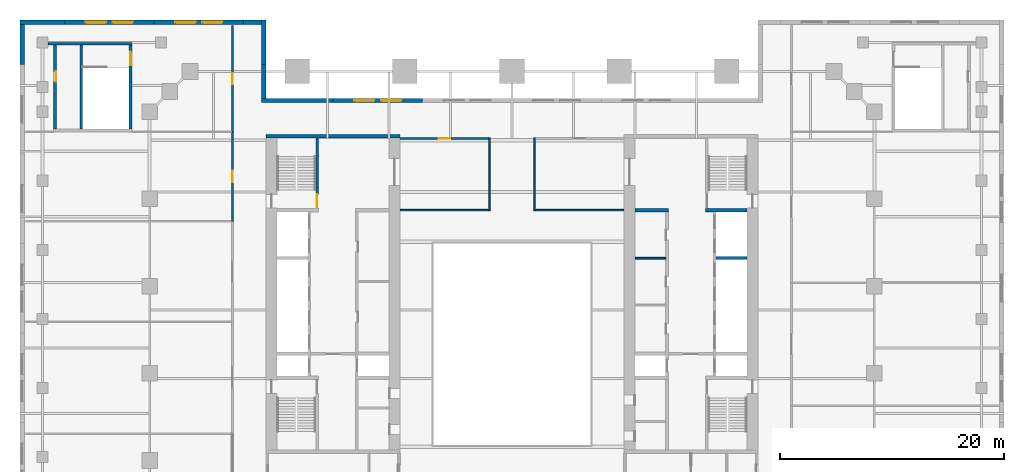
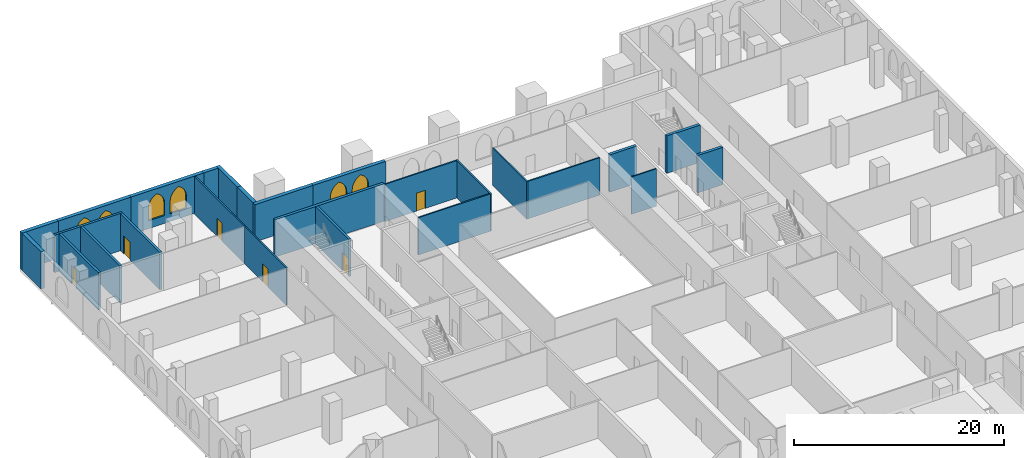
# One storey, part 15 of 18: 26 walls, 6 doors, 6 windows, 12 openings.
"""IFC4 building model written with IfcOpenShell, lengths in metres."""

from ifc_helpers import new_model, si_unit, direction, frame, frame_2d, origin, place, context, subcontext, project, spatial, polyline, rectangle, outline, extrude, material, layer, layer_set, type_object, element, fill, save


model = new_model("IFC4")

# Units and contexts
model_context = context("Model", 3, precision=1e-05, world=origin(), true_north=direction((0.0, 1.0)))
body_context = subcontext(model_context, "Body", "Model", "MODEL_VIEW")
ifc_project = project(units=[si_unit("LENGTHUNIT", "METRE"), si_unit("AREAUNIT", "SQUARE_METRE"), si_unit("VOLUMEUNIT", "CUBIC_METRE"), si_unit("PLANEANGLEUNIT", "RADIAN"), si_unit("MASSUNIT", "GRAM", prefix="KILO")], contexts=[model_context])

# Site, building, storey
site_placement = place(None, origin())
site = spatial("IfcSite", under=ifc_project, at=site_placement, CompositionType="ELEMENT")
building_placement = place(site_placement, origin())
building = spatial("IfcBuilding", under=site, at=building_placement, Name="Ogive Exchange Tower", CompositionType="ELEMENT")
storey_placement = place(building_placement, frame((0.0, 0.0, 28.800048828125)))
storey = spatial("IfcBuildingStorey", under=building, at=storey_placement, Name="L05", CompositionType="ELEMENT", Elevation=28.800048828125)

# Walls
ifc_material_1 = material(Name="Gypsum board partition")
ifc_layer_1 = layer(ifc_material_1, 0.14990234375)
ifc_layer_set_1 = layer_set([ifc_layer_1], Name="Core room partition 150 gypsum")
wall_type_1 = type_object("IfcWallType", Name="Core room partition 150 gypsum", PredefinedType="PARTITIONING", material=ifc_layer_set_1)
wall_1_placement = place(storey_placement, frame((11.0, 14.699951171875, 0.0), z_axis=(0.0, 0.0, 1.0), x_axis=(1.0, 0.0, 0.0)))
element("IfcWall", 1, at=wall_1_placement, inside=storey, type_object=wall_type_1, Name="E row B bay partition 1-2", PredefinedType="PARTITIONING", context=body_context, shape_type="SweptSolid", body=[
    extrude(rectangle(XDim=2.75, YDim=0.14990234375, at=frame_2d((1.375, 0.0))), origin(), (0.0, 0.0, 1.0), 4.349853515625),
])
ifc_layer_2 = layer(ifc_material_1, 0.300048828125)
ifc_layer_set_2 = layer_set([ifc_layer_2], Name="Core room partition 300 gypsum")
wall_type_2 = type_object("IfcWallType", Name="Core room partition 300 gypsum", PredefinedType="PARTITIONING", material=ifc_layer_set_2)
wall_2_placement = place(storey_placement, frame((11.0, 19.0, 0.0), z_axis=(0.0, 0.0, 1.0), x_axis=(1.0, 0.0, 0.0)))
element("IfcWall", 2, at=wall_2_placement, inside=storey, type_object=wall_type_2, Name="E row B room end wall 7", PredefinedType="PARTITIONING", context=body_context, shape_type="SweptSolid", body=[
    extrude(rectangle(XDim=3.0, YDim=0.300048828125, at=frame_2d((1.5, 0.0))), origin(), (0.0, 0.0, 1.0), 4.349853515625),
])
ifc_material_2 = material(Name="Fire partition EI 60 150")
ifc_layer_3 = layer(ifc_material_2, 0.14990234375)
ifc_layer_set_3 = layer_set([ifc_layer_3], Name="Fire partition EI 60 150")
wall_type_3 = type_object("IfcWallType", Name="Fire partition EI 60 150", PredefinedType="PARTITIONING", material=ifc_layer_set_3)
for number, where, z_axis, x_axis, name in (
    (3, (-10.0, 19.0, 0.0), (0.0, 0.0, 1.0), (1.0, 0.0, 0.0), "L05-PWL-033"),
    (4, (2.074951171875, 19.0, 0.0), (0.0, 0.0, 1.0), (1.0, 0.0, 0.0), "L05-PWL-034"),
):
    element("IfcWall", number, at=place(storey_placement, frame(where, z_axis=z_axis, x_axis=x_axis)), inside=storey, type_object=wall_type_3, Name=name, PredefinedType="PARTITIONING", context=body_context, shape_type="SweptSolid", body=[
        extrude(rectangle(XDim=7.925048828125, YDim=0.14990234375, at=frame_2d((3.96240234375, 0.0))), origin(), (0.0, 0.0, 1.0), 4.349853515625),
    ])

# Wall, opening, door
wall_3_placement = place(storey_placement, frame((-10.0, 25.39990234375, 0.0), z_axis=(0.0, 0.0, 1.0), x_axis=(1.0, 0.0, 0.0)))
wall_3 = element("IfcWall", 5, at=wall_3_placement, inside=storey, type_object=wall_type_3, Name="L05-PWL-035", PredefinedType="PARTITIONING", context=body_context, shape_type="SweptSolid", body=[
    extrude(rectangle(XDim=7.925048828125, YDim=0.14990234375, at=frame_2d((3.96240234375, 0.0))), origin(), (0.0, 0.0, 1.0), 4.349853515625),
])
opening_1_placement = place(wall_3_placement, frame((3.46240234375, 0.0, 0.0)))
opening_1 = element("IfcOpeningElement", 6, at=opening_1_placement, cuts=wall_3, Name="Opening L05-I24", PredefinedType="OPENING", context=body_context, shape_type="SweptSolid", body=[
    extrude(rectangle(XDim=1.0, YDim=2.10009765625, at=frame_2d((0.5, 1.050048828125))), frame((0.0, 0.0849609375, 0.0), z_axis=(0.0, -1.0, 0.0), x_axis=(1.0, 0.0, 0.0)), (0.0, 0.0, 1.0), 0.169921875),
])
ifc_material_3 = material(Name="Fire door FD 30S 1000 x 2100")
door_type_1 = type_object("IfcDoorType", Name="Fire door FD 30S 1000 x 2100", OperationType="NOTDEFINED", PredefinedType="DOOR", material=ifc_material_3)
door_1_placement = place(opening_1_placement, frame((1.0, 0.0, 0.0), z_axis=(0.0, 0.0, 1.0), x_axis=(-1.0, 0.0, 0.0)))
door_1 = element("IfcDoor", 7, at=door_1_placement, inside=storey, type_object=door_type_1, Name="L05-IDR-024", ObjectType="DT3", OperationType="SINGLE_SWING_LEFT", OverallHeight=2.10009765625, OverallWidth=1.0, PredefinedType="DOOR", context=body_context, shape_type="SweptSolid", body=[
    extrude(rectangle(XDim=1.0, YDim=2.10009765625, at=frame_2d((0.5, 1.050048828125))), frame((0.0, 0.02490234375, 0.0), z_axis=(0.0, -1.0, 0.0), x_axis=(1.0, 0.0, 0.0)), (0.0, 0.0, 1.0), 0.050048828125),
])
fill(opening_1, door_1)

wall_4_placement = place(storey_placement, frame((-25.0, 18.0, 0.0), z_axis=(0.0, 0.0, 1.0), x_axis=(0.0, 1.0, 0.0)))
wall_4 = element("IfcWall", 8, at=wall_4_placement, inside=storey, type_object=wall_type_3, Name="L05-PWL-050", PredefinedType="PARTITIONING", context=body_context, shape_type="SweptSolid", body=[
    extrude(rectangle(XDim=8.0, YDim=0.14990234375, at=frame_2d((4.0, 0.0))), origin(), (0.0, 0.0, 1.0), 4.349853515625),
])
opening_2_placement = place(wall_4_placement, frame((3.5, 0.0, 0.0)))
opening_2 = element("IfcOpeningElement", 9, at=opening_2_placement, cuts=wall_4, Name="Opening L05-I08", PredefinedType="OPENING", context=body_context, shape_type="SweptSolid", body=[
    extrude(rectangle(XDim=1.0, YDim=2.10009765625, at=frame_2d((0.5, 1.050048828125))), frame((0.0, 0.0849609375, 0.0), z_axis=(0.0, -1.0, 0.0), x_axis=(1.0, 0.0, 0.0)), (0.0, 0.0, 1.0), 0.169921875),
])
door_2_placement = place(opening_2_placement, origin())
door_2 = element("IfcDoor", 10, at=door_2_placement, inside=storey, type_object=door_type_1, Name="L05-IDR-008", ObjectType="DT3", OperationType="SINGLE_SWING_LEFT", OverallHeight=2.10009765625, OverallWidth=1.0, PredefinedType="DOOR", context=body_context, shape_type="SweptSolid", body=[
    extrude(rectangle(XDim=1.0, YDim=2.10009765625, at=frame_2d((0.5, 1.050048828125))), frame((0.0, 0.02490234375, 0.0), z_axis=(0.0, -1.0, 0.0), x_axis=(1.0, 0.0, 0.0)), (0.0, 0.0, 1.0), 0.050048828125),
])
fill(opening_2, door_2)

wall_5_placement = place(storey_placement, frame((-25.0, 26.0, 0.0), z_axis=(0.0, 0.0, 1.0), x_axis=(0.0, 1.0, 0.0)))
wall_5 = element("IfcWall", 11, at=wall_5_placement, inside=storey, type_object=wall_type_3, Name="L05-PWL-051", PredefinedType="PARTITIONING", context=body_context, shape_type="SweptSolid", body=[
    extrude(rectangle(XDim=9.5, YDim=0.14990234375, at=frame_2d((4.75, 0.0))), origin(), (0.0, 0.0, 1.0), 4.349853515625),
])
opening_3_placement = place(wall_5_placement, frame((4.25, 0.0, 0.0)))
opening_3 = element("IfcOpeningElement", 12, at=opening_3_placement, cuts=wall_5, Name="Opening L05-I01", PredefinedType="OPENING", context=body_context, shape_type="SweptSolid", body=[
    extrude(rectangle(XDim=1.0, YDim=2.10009765625, at=frame_2d((0.5, 1.050048828125))), frame((0.0, 0.0849609375, 0.0), z_axis=(0.0, -1.0, 0.0), x_axis=(1.0, 0.0, 0.0)), (0.0, 0.0, 1.0), 0.169921875),
])
door_3_placement = place(opening_3_placement, origin())
door_3 = element("IfcDoor", 13, at=door_3_placement, inside=storey, type_object=door_type_1, Name="L05-IDR-001", ObjectType="DT3", OperationType="SINGLE_SWING_LEFT", OverallHeight=2.10009765625, OverallWidth=1.0, PredefinedType="DOOR", context=body_context, shape_type="SweptSolid", body=[
    extrude(rectangle(XDim=1.0, YDim=2.10009765625, at=frame_2d((0.5, 1.050048828125))), frame((0.0, 0.02490234375, 0.0), z_axis=(0.0, -1.0, 0.0), x_axis=(1.0, 0.0, 0.0)), (0.0, 0.0, 1.0), 0.050048828125),
])
fill(opening_3, door_3)

# Walls
for number, where, z_axis, x_axis, name in (
    (14, (-2.0, 18.925048828125, 0.0), (0.0, 0.0, 1.0), (0.0, 1.0, 0.0), "L05-PWL-055"),
    (15, (2.0, 18.925048828125, 0.0), (0.0, 0.0, 1.0), (0.0, 1.0, 0.0), "L05-PWL-058"),
):
    element("IfcWall", number, at=place(storey_placement, frame(where, z_axis=z_axis, x_axis=x_axis)), inside=storey, type_object=wall_type_3, Name=name, PredefinedType="PARTITIONING", context=body_context, shape_type="SweptSolid", body=[
        extrude(rectangle(XDim=6.550048828125, YDim=0.14990234375, at=frame_2d((3.27490234375, 0.0))), origin(), (0.0, 0.0, 1.0), 4.349853515625),
    ])

# Wall, openings, windows
ifc_material_4 = material(Name="Precast concrete C40/50", Category="concrete")
ifc_layer_4 = layer(ifc_material_4, 0.39990234375)
ifc_layer_set_4 = layer_set([ifc_layer_4], Name="Limestone-faced wall 400")
wall_type_4 = type_object("IfcWallType", Name="Limestone-faced wall 400", PredefinedType="STANDARD", material=ifc_layer_set_4)
wall_6_placement = place(storey_placement, frame((-8.0, 28.800048828125, 0.0), z_axis=(0.0, 0.0, 1.0), x_axis=(-1.0, 0.0, 0.0)))
wall_6 = element("IfcWall", 16, at=wall_6_placement, inside=storey, type_object=wall_type_4, Name="Podium wall B5", PredefinedType="STANDARD", context=body_context, shape_type="SweptSolid", body=[
    extrude(rectangle(XDim=8.0, YDim=0.39990234375, at=frame_2d((4.0, 0.0))), origin(), (0.0, 0.0, 1.0), 4.349853515625),
])
opening_4_placement = place(wall_6_placement, frame((1.89990234375, 0.0, 0.89990234375)))
opening_4 = element("IfcOpeningElement", 17, at=opening_4_placement, cuts=wall_6, Name="Opening WQ285", PredefinedType="OPENING", context=body_context, shape_type="SweptSolid", body=[
    extrude(outline(polyline([(0.0, 0.0), (1.800048828125, 0.0), (1.800048828125, 1.425048828125), (1.784423828125, 1.646484375), (1.73779296875, 1.86376953125), (1.661376953125, 2.072265625), (1.55615234375, 2.267822265625), (1.4248046875, 2.44677734375), (1.269287109375, 2.60546875), (1.09326171875, 2.74072265625), (0.89990234375, 2.85009765625), (0.706787109375, 2.74072265625), (0.53076171875, 2.60546875), (0.375244140625, 2.44677734375), (0.243896484375, 2.267822265625), (0.138671875, 2.072265625), (0.062255859375, 1.86376953125), (0.015625, 1.646484375), (0.0, 1.425048828125), (0.0, 0.0)])), frame((0.0, 0.2099609375, 0.0), z_axis=(0.0, -1.0, 0.0), x_axis=(1.0, 0.0, 0.0)), (0.0, 0.0, 1.0), 0.419921875),
])
opening_5_placement = place(wall_6_placement, frame((4.300048828125, 0.0, 0.89990234375)))
opening_5 = element("IfcOpeningElement", 18, at=opening_5_placement, cuts=wall_6, Name="Opening WQ285", PredefinedType="OPENING", context=body_context, shape_type="SweptSolid", body=[
    extrude(outline(polyline([(0.0, 0.0), (1.800048828125, 0.0), (1.800048828125, 1.425048828125), (1.784423828125, 1.646484375), (1.73779296875, 1.86376953125), (1.661376953125, 2.072265625), (1.55615234375, 2.267822265625), (1.4248046875, 2.44677734375), (1.269287109375, 2.60546875), (1.09326171875, 2.74072265625), (0.89990234375, 2.85009765625), (0.706787109375, 2.74072265625), (0.53076171875, 2.60546875), (0.375244140625, 2.44677734375), (0.243896484375, 2.267822265625), (0.138671875, 2.072265625), (0.062255859375, 1.86376953125), (0.015625, 1.646484375), (0.0, 1.425048828125), (0.0, 0.0)])), frame((0.0, 0.2099609375, 0.0), z_axis=(0.0, -1.0, 0.0), x_axis=(1.0, 0.0, 0.0)), (0.0, 0.0, 1.0), 0.419921875),
])
ifc_material_5 = material(Name="Clear glass in bronze frame", Category="glass")
window_type = type_object("IfcWindowType", Name="Podium paired lancet 1800 x 2850", PartitioningType="DOUBLE_PANEL_VERTICAL", PredefinedType="WINDOW", material=ifc_material_5)
window_1_placement = place(opening_4_placement, origin())
window_1 = element("IfcWindow", 19, at=window_1_placement, inside=storey, type_object=window_type, Name="Podium paired lancet B5.1", OverallHeight=2.85009765625, OverallWidth=1.800048828125, PartitioningType="DOUBLE_PANEL_VERTICAL", PredefinedType="WINDOW", context=body_context, shape_type="SweptSolid", body=[
    extrude(outline(polyline([(0.0, 0.0), (1.800048828125, 0.0), (1.800048828125, 1.425048828125), (1.784423828125, 1.646484375), (1.73779296875, 1.86376953125), (1.661376953125, 2.072265625), (1.55615234375, 2.267822265625), (1.4248046875, 2.44677734375), (1.269287109375, 2.60546875), (1.09326171875, 2.74072265625), (0.89990234375, 2.85009765625), (0.706787109375, 2.74072265625), (0.53076171875, 2.60546875), (0.375244140625, 2.44677734375), (0.243896484375, 2.267822265625), (0.138671875, 2.072265625), (0.062255859375, 1.86376953125), (0.015625, 1.646484375), (0.0, 1.425048828125), (0.0, 0.0)])), frame((0.0, 0.030029296875, 0.0), z_axis=(0.0, -1.0, 0.0), x_axis=(1.0, 0.0, 0.0)), (0.0, 0.0, 1.0), 0.06005859375),
])
fill(opening_4, window_1)
window_2_placement = place(opening_5_placement, origin())
window_2 = element("IfcWindow", 20, at=window_2_placement, inside=storey, type_object=window_type, Name="Podium paired lancet B5.2", OverallHeight=2.85009765625, OverallWidth=1.800048828125, PartitioningType="DOUBLE_PANEL_VERTICAL", PredefinedType="WINDOW", context=body_context, shape_type="SweptSolid", body=[
    extrude(outline(polyline([(0.0, 0.0), (1.800048828125, 0.0), (1.800048828125, 1.425048828125), (1.784423828125, 1.646484375), (1.73779296875, 1.86376953125), (1.661376953125, 2.072265625), (1.55615234375, 2.267822265625), (1.4248046875, 2.44677734375), (1.269287109375, 2.60546875), (1.09326171875, 2.74072265625), (0.89990234375, 2.85009765625), (0.706787109375, 2.74072265625), (0.53076171875, 2.60546875), (0.375244140625, 2.44677734375), (0.243896484375, 2.267822265625), (0.138671875, 2.072265625), (0.062255859375, 1.86376953125), (0.015625, 1.646484375), (0.0, 1.425048828125), (0.0, 0.0)])), frame((0.0, 0.030029296875, 0.0), z_axis=(0.0, -1.0, 0.0), x_axis=(1.0, 0.0, 0.0)), (0.0, 0.0, 1.0), 0.06005859375),
])
fill(opening_5, window_2)

# Walls
wall_7_placement = place(storey_placement, frame((-16.0, 28.800048828125, 0.0), z_axis=(0.0, 0.0, 1.0), x_axis=(-1.0, 0.0, 0.0)))
element("IfcWall", 21, at=wall_7_placement, inside=storey, type_object=wall_type_4, Name="Podium wall B6", PredefinedType="STANDARD", context=body_context, shape_type="SweptSolid", body=[
    extrude(rectangle(XDim=6.39990234375, YDim=0.39990234375, at=frame_2d((3.199951171875, 0.0))), origin(), (0.0, 0.0, 1.0), 4.349853515625),
])
wall_8_placement = place(storey_placement, frame((-22.199951171875, 29.0, 0.0), z_axis=(0.0, 0.0, 1.0), x_axis=(0.0, 1.0, 0.0)))
element("IfcWall", 22, at=wall_8_placement, inside=storey, type_object=wall_type_4, Name="Podium wall J1", PredefinedType="STANDARD", context=body_context, shape_type="SweptSolid", body=[
    extrude(rectangle(XDim=3.0, YDim=0.39990234375, at=frame_2d((1.5, 0.0))), origin(), (0.0, 0.0, 1.0), 4.349853515625),
])
wall_9_placement = place(storey_placement, frame((-22.199951171875, 32.0, 0.0), z_axis=(0.0, 0.0, 1.0), x_axis=(0.0, 1.0, 0.0)))
element("IfcWall", 23, at=wall_9_placement, inside=storey, type_object=wall_type_4, Name="Podium wall J2", PredefinedType="STANDARD", context=body_context, shape_type="SweptSolid", body=[
    extrude(rectangle(XDim=4.0, YDim=0.39990234375, at=frame_2d((2.0, 0.0))), origin(), (0.0, 0.0, 1.0), 4.349853515625),
])
wall_10_placement = place(storey_placement, frame((-22.39990234375, 35.800048828125, 0.0), z_axis=(0.0, 0.0, 1.0), x_axis=(-1.0, 0.0, 0.0)))
element("IfcWall", 24, at=wall_10_placement, inside=storey, type_object=wall_type_4, Name="Podium wall M1", PredefinedType="STANDARD", context=body_context, shape_type="SweptSolid", body=[
    extrude(rectangle(XDim=1.60009765625, YDim=0.39990234375, at=frame_2d((0.800048828125, 0.0))), origin(), (0.0, 0.0, 1.0), 4.349853515625),
])

# Wall, openings, windows
wall_11_placement = place(storey_placement, frame((-24.0, 35.800048828125, 0.0), z_axis=(0.0, 0.0, 1.0), x_axis=(-1.0, 0.0, 0.0)))
wall_11 = element("IfcWall", 25, at=wall_11_placement, inside=storey, type_object=wall_type_4, Name="Podium wall M2", PredefinedType="STANDARD", context=body_context, shape_type="SweptSolid", body=[
    extrude(rectangle(XDim=8.0, YDim=0.39990234375, at=frame_2d((4.0, 0.0))), origin(), (0.0, 0.0, 1.0), 4.349853515625),
])
opening_6_placement = place(wall_11_placement, frame((1.89990234375, 0.0, 0.89990234375)))
opening_6 = element("IfcOpeningElement", 26, at=opening_6_placement, cuts=wall_11, Name="Opening WQ285", PredefinedType="OPENING", context=body_context, shape_type="SweptSolid", body=[
    extrude(outline(polyline([(0.0, 0.0), (1.800048828125, 0.0), (1.800048828125, 1.425048828125), (1.784423828125, 1.646484375), (1.73779296875, 1.86376953125), (1.661376953125, 2.072265625), (1.55615234375, 2.267822265625), (1.4248046875, 2.44677734375), (1.269287109375, 2.60546875), (1.09326171875, 2.74072265625), (0.89990234375, 2.85009765625), (0.706787109375, 2.74072265625), (0.53076171875, 2.60546875), (0.375244140625, 2.44677734375), (0.243896484375, 2.267822265625), (0.138671875, 2.072265625), (0.062255859375, 1.86376953125), (0.015625, 1.646484375), (0.0, 1.425048828125), (0.0, 0.0)])), frame((0.0, 0.2099609375, 0.0), z_axis=(0.0, -1.0, 0.0), x_axis=(1.0, 0.0, 0.0)), (0.0, 0.0, 1.0), 0.419921875),
])
opening_7_placement = place(wall_11_placement, frame((4.300048828125, 0.0, 0.89990234375)))
opening_7 = element("IfcOpeningElement", 27, at=opening_7_placement, cuts=wall_11, Name="Opening WQ285", PredefinedType="OPENING", context=body_context, shape_type="SweptSolid", body=[
    extrude(outline(polyline([(0.0, 0.0), (1.800048828125, 0.0), (1.800048828125, 1.425048828125), (1.784423828125, 1.646484375), (1.73779296875, 1.86376953125), (1.661376953125, 2.072265625), (1.55615234375, 2.267822265625), (1.4248046875, 2.44677734375), (1.269287109375, 2.60546875), (1.09326171875, 2.74072265625), (0.89990234375, 2.85009765625), (0.706787109375, 2.74072265625), (0.53076171875, 2.60546875), (0.375244140625, 2.44677734375), (0.243896484375, 2.267822265625), (0.138671875, 2.072265625), (0.062255859375, 1.86376953125), (0.015625, 1.646484375), (0.0, 1.425048828125), (0.0, 0.0)])), frame((0.0, 0.2099609375, 0.0), z_axis=(0.0, -1.0, 0.0), x_axis=(1.0, 0.0, 0.0)), (0.0, 0.0, 1.0), 0.419921875),
])
window_3_placement = place(opening_6_placement, origin())
window_3 = element("IfcWindow", 28, at=window_3_placement, inside=storey, type_object=window_type, Name="Podium paired lancet M2.1", OverallHeight=2.85009765625, OverallWidth=1.800048828125, PartitioningType="DOUBLE_PANEL_VERTICAL", PredefinedType="WINDOW", context=body_context, shape_type="SweptSolid", body=[
    extrude(outline(polyline([(0.0, 0.0), (1.800048828125, 0.0), (1.800048828125, 1.425048828125), (1.784423828125, 1.646484375), (1.73779296875, 1.86376953125), (1.661376953125, 2.072265625), (1.55615234375, 2.267822265625), (1.4248046875, 2.44677734375), (1.269287109375, 2.60546875), (1.09326171875, 2.74072265625), (0.89990234375, 2.85009765625), (0.706787109375, 2.74072265625), (0.53076171875, 2.60546875), (0.375244140625, 2.44677734375), (0.243896484375, 2.267822265625), (0.138671875, 2.072265625), (0.062255859375, 1.86376953125), (0.015625, 1.646484375), (0.0, 1.425048828125), (0.0, 0.0)])), frame((0.0, 0.030029296875, 0.0), z_axis=(0.0, -1.0, 0.0), x_axis=(1.0, 0.0, 0.0)), (0.0, 0.0, 1.0), 0.06005859375),
])
fill(opening_6, window_3)
window_4_placement = place(opening_7_placement, origin())
window_4 = element("IfcWindow", 29, at=window_4_placement, inside=storey, type_object=window_type, Name="Podium paired lancet M2.2", OverallHeight=2.85009765625, OverallWidth=1.800048828125, PartitioningType="DOUBLE_PANEL_VERTICAL", PredefinedType="WINDOW", context=body_context, shape_type="SweptSolid", body=[
    extrude(outline(polyline([(0.0, 0.0), (1.800048828125, 0.0), (1.800048828125, 1.425048828125), (1.784423828125, 1.646484375), (1.73779296875, 1.86376953125), (1.661376953125, 2.072265625), (1.55615234375, 2.267822265625), (1.4248046875, 2.44677734375), (1.269287109375, 2.60546875), (1.09326171875, 2.74072265625), (0.89990234375, 2.85009765625), (0.706787109375, 2.74072265625), (0.53076171875, 2.60546875), (0.375244140625, 2.44677734375), (0.243896484375, 2.267822265625), (0.138671875, 2.072265625), (0.062255859375, 1.86376953125), (0.015625, 1.646484375), (0.0, 1.425048828125), (0.0, 0.0)])), frame((0.0, 0.030029296875, 0.0), z_axis=(0.0, -1.0, 0.0), x_axis=(1.0, 0.0, 0.0)), (0.0, 0.0, 1.0), 0.06005859375),
])
fill(opening_7, window_4)

wall_12_placement = place(storey_placement, frame((-32.0, 35.800048828125, 0.0), z_axis=(0.0, 0.0, 1.0), x_axis=(-1.0, 0.0, 0.0)))
wall_12 = element("IfcWall", 30, at=wall_12_placement, inside=storey, type_object=wall_type_4, Name="Podium wall M3", PredefinedType="STANDARD", context=body_context, shape_type="SweptSolid", body=[
    extrude(rectangle(XDim=8.0, YDim=0.39990234375, at=frame_2d((4.0, 0.0))), origin(), (0.0, 0.0, 1.0), 4.349853515625),
])
opening_8_placement = place(wall_12_placement, frame((1.89990234375, 0.0, 0.89990234375)))
opening_8 = element("IfcOpeningElement", 31, at=opening_8_placement, cuts=wall_12, Name="Opening WQ285", PredefinedType="OPENING", context=body_context, shape_type="SweptSolid", body=[
    extrude(outline(polyline([(0.0, 0.0), (1.800048828125, 0.0), (1.800048828125, 1.425048828125), (1.784423828125, 1.646484375), (1.73779296875, 1.86376953125), (1.661376953125, 2.072265625), (1.55615234375, 2.267822265625), (1.4248046875, 2.44677734375), (1.269287109375, 2.60546875), (1.09326171875, 2.74072265625), (0.89990234375, 2.85009765625), (0.706787109375, 2.74072265625), (0.53076171875, 2.60546875), (0.375244140625, 2.44677734375), (0.243896484375, 2.267822265625), (0.138671875, 2.072265625), (0.062255859375, 1.86376953125), (0.015625, 1.646484375), (0.0, 1.425048828125), (0.0, 0.0)])), frame((0.0, 0.2099609375, 0.0), z_axis=(0.0, -1.0, 0.0), x_axis=(1.0, 0.0, 0.0)), (0.0, 0.0, 1.0), 0.419921875),
])
opening_9_placement = place(wall_12_placement, frame((4.300048828125, 0.0, 0.89990234375)))
opening_9 = element("IfcOpeningElement", 32, at=opening_9_placement, cuts=wall_12, Name="Opening WQ285", PredefinedType="OPENING", context=body_context, shape_type="SweptSolid", body=[
    extrude(outline(polyline([(0.0, 0.0), (1.800048828125, 0.0), (1.800048828125, 1.425048828125), (1.784423828125, 1.646484375), (1.73779296875, 1.86376953125), (1.661376953125, 2.072265625), (1.55615234375, 2.267822265625), (1.4248046875, 2.44677734375), (1.269287109375, 2.60546875), (1.09326171875, 2.74072265625), (0.89990234375, 2.85009765625), (0.706787109375, 2.74072265625), (0.53076171875, 2.60546875), (0.375244140625, 2.44677734375), (0.243896484375, 2.267822265625), (0.138671875, 2.072265625), (0.062255859375, 1.86376953125), (0.015625, 1.646484375), (0.0, 1.425048828125), (0.0, 0.0)])), frame((0.0, 0.2099609375, 0.0), z_axis=(0.0, -1.0, 0.0), x_axis=(1.0, 0.0, 0.0)), (0.0, 0.0, 1.0), 0.419921875),
])
window_5_placement = place(opening_8_placement, origin())
window_5 = element("IfcWindow", 33, at=window_5_placement, inside=storey, type_object=window_type, Name="Podium paired lancet M3.1", OverallHeight=2.85009765625, OverallWidth=1.800048828125, PartitioningType="DOUBLE_PANEL_VERTICAL", PredefinedType="WINDOW", context=body_context, shape_type="SweptSolid", body=[
    extrude(outline(polyline([(0.0, 0.0), (1.800048828125, 0.0), (1.800048828125, 1.425048828125), (1.784423828125, 1.646484375), (1.73779296875, 1.86376953125), (1.661376953125, 2.072265625), (1.55615234375, 2.267822265625), (1.4248046875, 2.44677734375), (1.269287109375, 2.60546875), (1.09326171875, 2.74072265625), (0.89990234375, 2.85009765625), (0.706787109375, 2.74072265625), (0.53076171875, 2.60546875), (0.375244140625, 2.44677734375), (0.243896484375, 2.267822265625), (0.138671875, 2.072265625), (0.062255859375, 1.86376953125), (0.015625, 1.646484375), (0.0, 1.425048828125), (0.0, 0.0)])), frame((0.0, 0.030029296875, 0.0), z_axis=(0.0, -1.0, 0.0), x_axis=(1.0, 0.0, 0.0)), (0.0, 0.0, 1.0), 0.06005859375),
])
fill(opening_8, window_5)
window_6_placement = place(opening_9_placement, origin())
window_6 = element("IfcWindow", 34, at=window_6_placement, inside=storey, type_object=window_type, Name="Podium paired lancet M3.2", OverallHeight=2.85009765625, OverallWidth=1.800048828125, PartitioningType="DOUBLE_PANEL_VERTICAL", PredefinedType="WINDOW", context=body_context, shape_type="SweptSolid", body=[
    extrude(outline(polyline([(0.0, 0.0), (1.800048828125, 0.0), (1.800048828125, 1.425048828125), (1.784423828125, 1.646484375), (1.73779296875, 1.86376953125), (1.661376953125, 2.072265625), (1.55615234375, 2.267822265625), (1.4248046875, 2.44677734375), (1.269287109375, 2.60546875), (1.09326171875, 2.74072265625), (0.89990234375, 2.85009765625), (0.706787109375, 2.74072265625), (0.53076171875, 2.60546875), (0.375244140625, 2.44677734375), (0.243896484375, 2.267822265625), (0.138671875, 2.072265625), (0.062255859375, 1.86376953125), (0.015625, 1.646484375), (0.0, 1.425048828125), (0.0, 0.0)])), frame((0.0, 0.030029296875, 0.0), z_axis=(0.0, -1.0, 0.0), x_axis=(1.0, 0.0, 0.0)), (0.0, 0.0, 1.0), 0.06005859375),
])
fill(opening_9, window_6)

# Walls
wall_13_placement = place(storey_placement, frame((-40.0, 35.800048828125, 0.0), z_axis=(0.0, 0.0, 1.0), x_axis=(-1.0, 0.0, 0.0)))
element("IfcWall", 35, at=wall_13_placement, inside=storey, type_object=wall_type_4, Name="Podium wall M4", PredefinedType="STANDARD", context=body_context, shape_type="SweptSolid", body=[
    extrude(rectangle(XDim=4.0, YDim=0.39990234375, at=frame_2d((2.0, 0.0))), origin(), (0.0, 0.0, 1.0), 4.349853515625),
])
wall_14_placement = place(storey_placement, frame((-43.800048828125, 35.60009765625, 0.0), z_axis=(0.0, 0.0, 1.0), x_axis=(0.0, -1.0, 0.0)))
element("IfcWall", 36, at=wall_14_placement, inside=storey, type_object=wall_type_4, Name="Podium wall W1", PredefinedType="STANDARD", context=body_context, shape_type="SweptSolid", body=[
    extrude(rectangle(XDim=3.60009765625, YDim=0.39990234375, at=frame_2d((1.800048828125, 0.0))), origin(), (0.0, 0.0, 1.0), 4.349853515625),
])

# Wall, opening, door
ifc_material_6 = material(Name="Concrete C70/85", Category="concrete")
ifc_layer_5 = layer(ifc_material_6, 0.25)
ifc_layer_set_5 = layer_set([ifc_layer_5], Name="RC core wall 250 C70/85")
wall_type_5 = type_object("IfcWallType", Name="RC core wall 250 C70/85", PredefinedType="SHEAR", material=ifc_layer_set_5)
wall_15_placement = place(storey_placement, frame((-17.425048828125, 19.14990234375, 0.0), z_axis=(0.0, 0.0, 1.0), x_axis=(0.0, 1.0, 0.0)))
wall_15 = element("IfcWall", 37, at=wall_15_placement, inside=storey, type_object=wall_type_5, Name="W stair N front wall", PredefinedType="SHEAR", context=body_context, shape_type="SweptSolid", body=[
    extrude(rectangle(XDim=6.300048828125, YDim=0.25, at=frame_2d((3.14990234375, 0.0))), origin(), (0.0, 0.0, 1.0), 4.349853515625),
])
opening_10_placement = place(wall_15_placement, frame((0.050048828125, 0.0, 0.0)))
opening_10 = element("IfcOpeningElement", 38, at=opening_10_placement, cuts=wall_15, Name="Opening L05-C15", PredefinedType="OPENING", context=body_context, shape_type="SweptSolid", body=[
    extrude(rectangle(XDim=1.199951171875, YDim=2.10009765625, at=frame_2d((0.60009765625, 1.050048828125))), frame((0.0, 0.135009765625, 0.0), z_axis=(0.0, -1.0, 0.0), x_axis=(1.0, 0.0, 0.0)), (0.0, 0.0, 1.0), 0.27001953125),
])
ifc_material_7 = material(Name="Steel fire door", Category="steel")
door_type_2 = type_object("IfcDoorType", Name="Stair door FD90 1200 x 2100", OperationType="NOTDEFINED", PredefinedType="DOOR", material=ifc_material_7)
door_4_placement = place(opening_10_placement, origin())
door_4 = element("IfcDoor", 39, at=door_4_placement, inside=storey, type_object=door_type_2, Name="Stair door", ObjectType="CD5", OperationType="SINGLE_SWING_RIGHT", OverallHeight=2.10009765625, OverallWidth=1.199951171875, PredefinedType="DOOR", context=body_context, shape_type="SweptSolid", body=[
    extrude(rectangle(XDim=1.199951171875, YDim=2.10009765625, at=frame_2d((0.60009765625, 1.050048828125))), frame((0.0, 0.02490234375, 0.0), z_axis=(0.0, -1.0, 0.0), x_axis=(1.0, 0.0, 0.0)), (0.0, 0.0, 1.0), 0.050048828125),
])
fill(opening_10, door_4)

# Wall
wall_16_placement = place(storey_placement, frame((-41.5, 33.875, 0.0), z_axis=(0.0, 0.0, 1.0), x_axis=(1.0, 0.0, 0.0)))
element("IfcWall", 40, at=wall_16_placement, inside=storey, type_object=wall_type_5, Name="PS3 north wall", PredefinedType="SHEAR", context=body_context, shape_type="SweptSolid", body=[
    extrude(rectangle(XDim=7.5, YDim=0.25, at=frame_2d((3.75, 0.0))), origin(), (0.0, 0.0, 1.0), 4.349853515625),
])

# Wall, opening, door
wall_17_placement = place(storey_placement, frame((-40.875, 26.25, 0.0), z_axis=(0.0, 0.0, 1.0), x_axis=(0.0, 1.0, 0.0)))
wall_17 = element("IfcWall", 41, at=wall_17_placement, inside=storey, type_object=wall_type_5, Name="PS3 west wall", PredefinedType="SHEAR", context=body_context, shape_type="SweptSolid", body=[
    extrude(rectangle(XDim=7.5, YDim=0.25, at=frame_2d((3.75, 0.0))), origin(), (0.0, 0.0, 1.0), 4.349853515625),
])
opening_11_placement = place(wall_17_placement, frame((4.25, 0.0, 0.0)))
opening_11 = element("IfcOpeningElement", 42, at=opening_11_placement, cuts=wall_17, Name="Opening L05-C50", PredefinedType="OPENING", context=body_context, shape_type="SweptSolid", body=[
    extrude(rectangle(XDim=0.89990234375, YDim=2.10009765625, at=frame_2d((0.449951171875, 1.050048828125))), frame((0.0, 0.135009765625, 0.0), z_axis=(0.0, -1.0, 0.0), x_axis=(1.0, 0.0, 0.0)), (0.0, 0.0, 1.0), 0.27001953125),
])
door_type_3 = type_object("IfcDoorType", Name="Riser door FD60 900 x 2100", OperationType="NOTDEFINED", PredefinedType="DOOR", material=ifc_material_7)
door_5_placement = place(opening_11_placement, origin())
door_5 = element("IfcDoor", 43, at=door_5_placement, inside=storey, type_object=door_type_3, Name="Riser door", ObjectType="CD2", OperationType="SINGLE_SWING_LEFT", OverallHeight=2.10009765625, OverallWidth=0.89990234375, PredefinedType="DOOR", context=body_context, shape_type="SweptSolid", body=[
    extrude(rectangle(XDim=0.89990234375, YDim=2.10009765625, at=frame_2d((0.449951171875, 1.050048828125))), frame((0.0, -0.0751953125, 0.0), z_axis=(0.0, -1.0, 0.0), x_axis=(1.0, 0.0, 0.0)), (0.0, 0.0, 1.0), 0.050048828125),
])
fill(opening_11, door_5)

wall_18_placement = place(storey_placement, frame((-34.125, 26.25, 0.0), z_axis=(0.0, 0.0, 1.0), x_axis=(0.0, 1.0, 0.0)))
wall_18 = element("IfcWall", 44, at=wall_18_placement, inside=storey, type_object=wall_type_5, Name="PS3 east wall", PredefinedType="SHEAR", context=body_context, shape_type="SweptSolid", body=[
    extrude(rectangle(XDim=7.5, YDim=0.25, at=frame_2d((3.75, 0.0))), origin(), (0.0, 0.0, 1.0), 4.349853515625),
])
opening_12_placement = place(wall_18_placement, frame((5.699951171875, 0.0, 0.0)))
opening_12 = element("IfcOpeningElement", 45, at=opening_12_placement, cuts=wall_18, Name="Opening L05-C49", PredefinedType="OPENING", context=body_context, shape_type="SweptSolid", body=[
    extrude(rectangle(XDim=1.199951171875, YDim=2.10009765625, at=frame_2d((0.60009765625, 1.050048828125))), frame((0.0, 0.135009765625, 0.0), z_axis=(0.0, -1.0, 0.0), x_axis=(1.0, 0.0, 0.0)), (0.0, 0.0, 1.0), 0.27001953125),
])
door_6_placement = place(opening_12_placement, origin())
door_6 = element("IfcDoor", 46, at=door_6_placement, inside=storey, type_object=door_type_2, Name="Stair door", ObjectType="CD5", OperationType="SINGLE_SWING_LEFT", OverallHeight=2.10009765625, OverallWidth=1.199951171875, PredefinedType="DOOR", context=body_context, shape_type="SweptSolid", body=[
    extrude(rectangle(XDim=1.199951171875, YDim=2.10009765625, at=frame_2d((0.60009765625, 1.050048828125))), frame((0.0, 0.02490234375, 0.0), z_axis=(0.0, -1.0, 0.0), x_axis=(1.0, 0.0, 0.0)), (0.0, 0.0, 1.0), 0.050048828125),
])
fill(opening_12, door_6)

# Walls
wall_19_placement = place(storey_placement, frame((-38.52490234375, 26.25, 0.0), z_axis=(0.0, 0.0, 1.0), x_axis=(0.0, 1.0, 0.0)))
element("IfcWall", 47, at=wall_19_placement, inside=storey, type_object=wall_type_5, Name="PS3 partition wall", PredefinedType="SHEAR", context=body_context, shape_type="SweptSolid", body=[
    extrude(rectangle(XDim=7.5, YDim=0.25, at=frame_2d((3.75, 0.0))), origin(), (0.0, 0.0, 1.0), 4.349853515625),
])
ifc_layer_6 = layer(ifc_material_6, 0.300048828125)
ifc_layer_set_6 = layer_set([ifc_layer_6], Name="RC core wall 300 C70/85")
wall_type_6 = type_object("IfcWallType", Name="RC core wall 300 C70/85", PredefinedType="SHEAR", material=ifc_layer_set_6)
wall_20_placement = place(storey_placement, frame((-22.0, 25.60009765625, 0.0), z_axis=(0.0, 0.0, 1.0), x_axis=(1.0, 0.0, 0.0)))
element("IfcWall", 48, at=wall_20_placement, inside=storey, type_object=wall_type_6, Name="W north end wall", PredefinedType="SHEAR", context=body_context, shape_type="SweptSolid", body=[
    extrude(rectangle(XDim=12.0, YDim=0.300048828125, at=frame_2d((6.0, 0.0))), origin(), (0.0, 0.0, 1.0), 4.349853515625),
])
wall_21_placement = place(storey_placement, frame((17.300048828125, 19.0, 0.0), z_axis=(0.0, 0.0, 1.0), x_axis=(1.0, 0.0, 0.0)))
element("IfcWall", 49, at=wall_21_placement, inside=storey, type_object=wall_type_6, Name="E stair N south wall", PredefinedType="SHEAR", context=body_context, shape_type="SweptSolid", body=[
    extrude(rectangle(XDim=3.699951171875, YDim=0.300048828125, at=frame_2d((1.85009765625, 0.0))), origin(), (0.0, 0.0, 1.0), 4.349853515625),
])
wall_22_placement = place(storey_placement, frame((18.25, 14.71435546875, 0.0), z_axis=(0.0, 0.0, 1.0), x_axis=(1.0, 0.0, 0.0)))
element("IfcWall", 50, at=wall_22_placement, inside=storey, type_object=wall_type_6, Name="E row A divider 5", PredefinedType="SHEAR", context=body_context, shape_type="SweptSolid", body=[
    extrude(rectangle(XDim=2.75, YDim=0.300048828125, at=frame_2d((1.375, 0.0))), origin(), (0.0, 0.0, 1.0), 4.349853515625),
])

save(model, "model.ifc")
